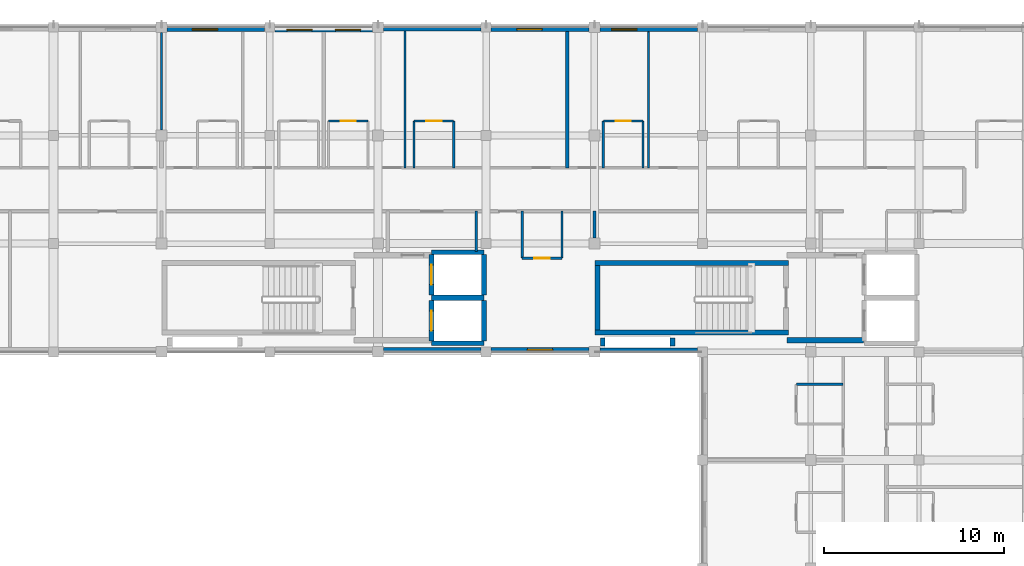
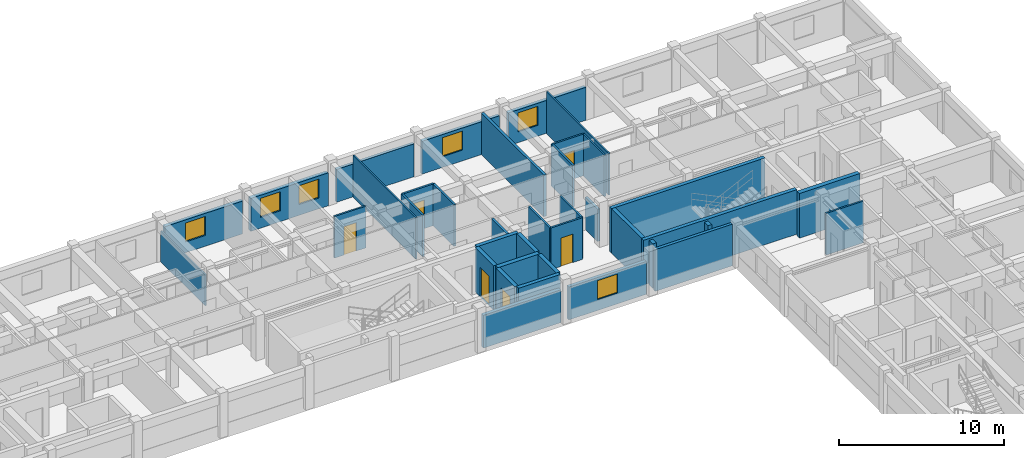
# One storey, part 15 of 22: 38 walls, 6 doors, 6 windows, 12 openings.
"""IFC4 building model written with IfcOpenShell, lengths in metres."""

from ifc_helpers import new_model, si_unit, direction, frame, frame_2d, origin, place, context, subcontext, project, spatial, rectangle, extrude, material, layer, layer_set, type_object, element, fill, save


model = new_model("IFC4")

# Units and contexts
model_context = context("Model", 3, precision=1e-05, world=origin(), true_north=direction((0.0, 1.0)))
body_context = subcontext(model_context, "Body", "Model", "MODEL_VIEW")
ifc_project = project(units=[si_unit("LENGTHUNIT", "METRE"), si_unit("AREAUNIT", "SQUARE_METRE"), si_unit("VOLUMEUNIT", "CUBIC_METRE"), si_unit("PLANEANGLEUNIT", "RADIAN"), si_unit("MASSUNIT", "GRAM", prefix="KILO"), si_unit("THERMODYNAMICTEMPERATUREUNIT", "KELVIN"), si_unit("POWERUNIT", "WATT")], contexts=[model_context])

# Site, building, storey
site_placement = place(None, origin())
site = spatial("IfcSite", under=ifc_project, at=site_placement, CompositionType="ELEMENT")
building_placement = place(site_placement, origin())
building = spatial("IfcBuilding", under=site, at=building_placement, Name="Phaisarnlok Congress Hotel", CompositionType="ELEMENT")
storey_placement = place(building_placement, frame((0.0, 0.0, 28.199951171875)))
storey = spatial("IfcBuildingStorey", under=building, at=storey_placement, Name="L06", CompositionType="ELEMENT", Elevation=28.199951171875)

# Walls
ifc_material_1 = material(Name="Concrete C40/50", Category="concrete")
ifc_layer_1 = layer(ifc_material_1, 0.2099609375, Name="Concrete C40/50")
ifc_layer_set_1 = layer_set([ifc_layer_1], Name="Concrete C40/50")
wall_type_1 = type_object("IfcWallType", Name="WL-EXT-210", PredefinedType="SOLIDWALL", material=ifc_layer_set_1)
wall_1_placement = place(storey_placement, frame((149.719970703125, 125.89501953125, 0.0), z_axis=(0.0, 0.0, 1.0), x_axis=(-1.0, 0.0, 0.0)))
element("IfcWall", 1, at=wall_1_placement, inside=storey, type_object=wall_type_1, Name="Exterior wall EW-07 (L06)", PredefinedType="SOLIDWALL", context=body_context, shape_type="SweptSolid", body=[
    extrude(rectangle(XDim=5.4150390625, YDim=0.2099609375, at=frame_2d((2.70751953125, 0.0))), origin(), (0.0, 0.0, 1.0), 2.429931640625),
])
wall_2_placement = place(storey_placement, frame((156.304931640625, 108.10498046875, 0.0), z_axis=(0.0, 0.0, 1.0), x_axis=(1.0, 0.0, 0.0)))
element("IfcWall", 2, at=wall_2_placement, inside=storey, type_object=wall_type_1, Name="Exterior wall EW-07 (L06)", PredefinedType="SOLIDWALL", context=body_context, shape_type="SweptSolid", body=[
    extrude(rectangle(XDim=5.4150390625, YDim=0.2099609375, at=frame_2d((2.70751953125, 0.0))), origin(), (0.0, 0.0, 1.0), 3.080078125),
])

# Wall, opening, window
ifc_layer_2 = layer(ifc_material_1, 0.22998046875, Name="Concrete C40/50")
ifc_layer_set_2 = layer_set([ifc_layer_2], Name="Concrete C40/50")
wall_type_2 = type_object("IfcWallType", Name="WL-EXT-230", PredefinedType="SOLIDWALL", material=ifc_layer_set_2)
wall_3_placement = place(storey_placement, frame((155.695068359375, 125.885009765625, 0.0), z_axis=(0.0, 0.0, 1.0), x_axis=(-1.0, 0.0, 0.0)))
wall_3 = element("IfcWall", 3, at=wall_3_placement, inside=storey, type_object=wall_type_2, Name="Exterior wall EW-06 (L06)", PredefinedType="SOLIDWALL", context=body_context, shape_type="SweptSolid", body=[
    extrude(rectangle(XDim=5.4150390625, YDim=0.22998046875, at=frame_2d((2.70751953125, 0.0))), origin(), (0.0, 0.0, 1.0), 2.429931640625),
])
opening_1_placement = place(wall_3_placement, frame((2.594970703125, 0.0, 0.800048828125)))
opening_1 = element("IfcOpeningElement", 4, at=opening_1_placement, cuts=wall_3, Name="Opening W-13", PredefinedType="OPENING", context=body_context, shape_type="SweptSolid", body=[
    extrude(rectangle(XDim=1.39990234375, YDim=1.39990234375, at=frame_2d((0.699951171875, 0.699951171875))), frame((0.0, 0.125, 0.0), z_axis=(0.0, -1.0, 0.0), x_axis=(1.0, 0.0, 0.0)), (0.0, 0.0, 1.0), 0.25),
])
ifc_material_2 = material(Name="Thermally Broken Aluminium & Low-E Double Glazing", Category="aluminium")
window_type = type_object("IfcWindowType", Name="WIN-POD-1400", PartitioningType="SINGLE_PANEL", PredefinedType="WINDOW", material=ifc_material_2)
window_1_placement = place(opening_1_placement, origin())
window_1 = element("IfcWindow", 5, at=window_1_placement, inside=storey, type_object=window_type, Name="Guestroom window W-13 (L06)", OverallHeight=1.39990234375, OverallWidth=1.39990234375, PartitioningType="SINGLE_PANEL", PredefinedType="WINDOW", context=body_context, shape_type="SweptSolid", body=[
    extrude(rectangle(XDim=1.39990234375, YDim=1.39990234375, at=frame_2d((0.699951171875, 0.699951171875))), frame((0.0, 0.030029296875, 0.0), z_axis=(0.0, -1.0, 0.0), x_axis=(1.0, 0.0, 0.0)), (0.0, 0.0, 1.0), 0.06005859375),
])
fill(opening_1, window_1)

wall_4_placement = place(storey_placement, frame((150.280029296875, 108.114990234375, 0.0), z_axis=(0.0, 0.0, 1.0), x_axis=(1.0, 0.0, 0.0)))
wall_4 = element("IfcWall", 6, at=wall_4_placement, inside=storey, type_object=wall_type_2, Name="Exterior wall EW-06 (L06)", PredefinedType="SOLIDWALL", context=body_context, shape_type="SweptSolid", body=[
    extrude(rectangle(XDim=5.4150390625, YDim=0.22998046875, at=frame_2d((2.70751953125, 0.0))), origin(), (0.0, 0.0, 1.0), 2.429931640625),
])
opening_2_placement = place(wall_4_placement, frame((2.008056640625, 0.0, 0.800048828125)))
opening_2 = element("IfcOpeningElement", 7, at=opening_2_placement, cuts=wall_4, Name="Opening W-13", PredefinedType="OPENING", context=body_context, shape_type="SweptSolid", body=[
    extrude(rectangle(XDim=1.39990234375, YDim=1.39990234375, at=frame_2d((0.699951171875, 0.699951171875))), frame((0.0, 0.125, 0.0), z_axis=(0.0, -1.0, 0.0), x_axis=(1.0, 0.0, 0.0)), (0.0, 0.0, 1.0), 0.25),
])
window_2_placement = place(opening_2_placement, origin())
window_2 = element("IfcWindow", 8, at=window_2_placement, inside=storey, type_object=window_type, Name="Guestroom window W-13 (L06)", OverallHeight=1.39990234375, OverallWidth=1.39990234375, PartitioningType="SINGLE_PANEL", PredefinedType="WINDOW", context=body_context, shape_type="SweptSolid", body=[
    extrude(rectangle(XDim=1.39990234375, YDim=1.39990234375, at=frame_2d((0.699951171875, 0.699951171875))), frame((0.0, 0.030029296875, 0.0), z_axis=(0.0, -1.0, 0.0), x_axis=(1.0, 0.0, 0.0)), (0.0, 0.0, 1.0), 0.06005859375),
])
fill(opening_2, window_2)

ifc_layer_3 = layer(ifc_material_1, 0.25, Name="Concrete C40/50")
ifc_layer_set_3 = layer_set([ifc_layer_3], Name="Concrete C40/50")
wall_type_3 = type_object("IfcWallType", Name="WL-EXT-250", PredefinedType="SOLIDWALL", material=ifc_layer_set_3)
wall_5_placement = place(storey_placement, frame((161.719970703125, 125.875, 0.0), z_axis=(0.0, 0.0, 1.0), x_axis=(-1.0, 0.0, 0.0)))
wall_5 = element("IfcWall", 9, at=wall_5_placement, inside=storey, type_object=wall_type_3, Name="Exterior wall EW-05 (L06)", PredefinedType="SOLIDWALL", context=body_context, shape_type="SweptSolid", body=[
    extrude(rectangle(XDim=5.4150390625, YDim=0.25, at=frame_2d((2.70751953125, 0.0))), origin(), (0.0, 0.0, 1.0), 2.429931640625),
])
opening_3_placement = place(wall_5_placement, frame((3.35693359375, 0.0, 0.800048828125)))
opening_3 = element("IfcOpeningElement", 10, at=opening_3_placement, cuts=wall_5, Name="Opening W-13", PredefinedType="OPENING", context=body_context, shape_type="SweptSolid", body=[
    extrude(rectangle(XDim=1.39990234375, YDim=1.39990234375, at=frame_2d((0.699951171875, 0.699951171875))), frame((0.0, 0.135009765625, 0.0), z_axis=(0.0, -1.0, 0.0), x_axis=(1.0, 0.0, 0.0)), (0.0, 0.0, 1.0), 0.27001953125),
])
window_3_placement = place(opening_3_placement, origin())
window_3 = element("IfcWindow", 11, at=window_3_placement, inside=storey, type_object=window_type, Name="Guestroom window W-13 (L06)", OverallHeight=1.39990234375, OverallWidth=1.39990234375, PartitioningType="SINGLE_PANEL", PredefinedType="WINDOW", context=body_context, shape_type="SweptSolid", body=[
    extrude(rectangle(XDim=1.39990234375, YDim=1.39990234375, at=frame_2d((0.699951171875, 0.699951171875))), frame((0.0, 0.030029296875, 0.0), z_axis=(0.0, -1.0, 0.0), x_axis=(1.0, 0.0, 0.0)), (0.0, 0.0, 1.0), 0.06005859375),
])
fill(opening_3, window_3)

wall_6_placement = place(storey_placement, frame((137.719970703125, 125.875, 0.0), z_axis=(0.0, 0.0, 1.0), x_axis=(-1.0, 0.0, 0.0)))
wall_6 = element("IfcWall", 12, at=wall_6_placement, inside=storey, type_object=wall_type_3, Name="Exterior wall EW-05 (L06)", PredefinedType="SOLIDWALL", context=body_context, shape_type="SweptSolid", body=[
    extrude(rectangle(XDim=5.4150390625, YDim=0.25, at=frame_2d((2.70751953125, 0.0))), origin(), (0.0, 0.0, 1.0), 2.429931640625),
])
opening_4_placement = place(wall_6_placement, frame((2.60693359375, 0.0, 0.800048828125)))
opening_4 = element("IfcOpeningElement", 13, at=opening_4_placement, cuts=wall_6, Name="Opening W-13", PredefinedType="OPENING", context=body_context, shape_type="SweptSolid", body=[
    extrude(rectangle(XDim=1.39990234375, YDim=1.39990234375, at=frame_2d((0.699951171875, 0.699951171875))), frame((0.0, 0.135009765625, 0.0), z_axis=(0.0, -1.0, 0.0), x_axis=(1.0, 0.0, 0.0)), (0.0, 0.0, 1.0), 0.27001953125),
])
window_4_placement = place(opening_4_placement, origin())
window_4 = element("IfcWindow", 14, at=window_4_placement, inside=storey, type_object=window_type, Name="Guestroom window W-13 (L06)", OverallHeight=1.39990234375, OverallWidth=1.39990234375, PartitioningType="SINGLE_PANEL", PredefinedType="WINDOW", context=body_context, shape_type="SweptSolid", body=[
    extrude(rectangle(XDim=1.39990234375, YDim=1.39990234375, at=frame_2d((0.699951171875, 0.699951171875))), frame((0.0, 0.030029296875, 0.0), z_axis=(0.0, -1.0, 0.0), x_axis=(1.0, 0.0, 0.0)), (0.0, 0.0, 1.0), 0.06005859375),
])
fill(opening_4, window_4)

# Wall
wall_7_placement = place(storey_placement, frame((144.304931640625, 108.125, 0.0), z_axis=(0.0, 0.0, 1.0), x_axis=(1.0, 0.0, 0.0)))
element("IfcWall", 15, at=wall_7_placement, inside=storey, type_object=wall_type_3, Name="Exterior wall EW-05 (L06)", PredefinedType="SOLIDWALL", context=body_context, shape_type="SweptSolid", body=[
    extrude(rectangle(XDim=5.4150390625, YDim=0.25, at=frame_2d((2.70751953125, 0.0))), origin(), (0.0, 0.0, 1.0), 2.429931640625),
])

# Wall, openings, windows
ifc_layer_4 = layer(ifc_material_1, 0.27001953125, Name="Concrete C40/50")
ifc_layer_set_4 = layer_set([ifc_layer_4], Name="Concrete C40/50")
wall_type_4 = type_object("IfcWallType", Name="WL-EXT-270", PredefinedType="SOLIDWALL", material=ifc_layer_set_4)
wall_8_placement = place(storey_placement, frame((143.695068359375, 125.864990234375, 0.0), z_axis=(0.0, 0.0, 1.0), x_axis=(-1.0, 0.0, 0.0)))
wall_8 = element("IfcWall", 16, at=wall_8_placement, inside=storey, type_object=wall_type_4, Name="Exterior wall EW-04 (L06)", PredefinedType="SOLIDWALL", context=body_context, shape_type="SweptSolid", body=[
    extrude(rectangle(XDim=5.4150390625, YDim=0.27001953125, at=frame_2d((2.70751953125, 0.0))), origin(), (0.0, 0.0, 1.0), 2.429931640625),
])
opening_5_placement = place(wall_8_placement, frame((3.344970703125, 0.0, 0.800048828125)))
opening_5 = element("IfcOpeningElement", 17, at=opening_5_placement, cuts=wall_8, Name="Opening W-13", PredefinedType="OPENING", context=body_context, shape_type="SweptSolid", body=[
    extrude(rectangle(XDim=1.39990234375, YDim=1.39990234375, at=frame_2d((0.699951171875, 0.699951171875))), frame((0.0, 0.14501953125, 0.0), z_axis=(0.0, -1.0, 0.0), x_axis=(1.0, 0.0, 0.0)), (0.0, 0.0, 1.0), 0.2900390625),
])
opening_6_placement = place(wall_8_placement, frame((0.657958984375, 0.0, 0.800048828125)))
opening_6 = element("IfcOpeningElement", 18, at=opening_6_placement, cuts=wall_8, Name="Opening W-13", PredefinedType="OPENING", context=body_context, shape_type="SweptSolid", body=[
    extrude(rectangle(XDim=1.39990234375, YDim=1.39990234375, at=frame_2d((0.699951171875, 0.699951171875))), frame((0.0, 0.14501953125, 0.0), z_axis=(0.0, -1.0, 0.0), x_axis=(1.0, 0.0, 0.0)), (0.0, 0.0, 1.0), 0.2900390625),
])
window_5_placement = place(opening_5_placement, origin())
window_5 = element("IfcWindow", 19, at=window_5_placement, inside=storey, type_object=window_type, Name="Guestroom window W-13 (L06)", OverallHeight=1.39990234375, OverallWidth=1.39990234375, PartitioningType="SINGLE_PANEL", PredefinedType="WINDOW", context=body_context, shape_type="SweptSolid", body=[
    extrude(rectangle(XDim=1.39990234375, YDim=1.39990234375, at=frame_2d((0.699951171875, 0.699951171875))), frame((0.0, 0.030029296875, 0.0), z_axis=(0.0, -1.0, 0.0), x_axis=(1.0, 0.0, 0.0)), (0.0, 0.0, 1.0), 0.06005859375),
])
fill(opening_5, window_5)
window_6_placement = place(opening_6_placement, origin())
window_6 = element("IfcWindow", 20, at=window_6_placement, inside=storey, type_object=window_type, Name="Guestroom window W-13 (L06)", OverallHeight=1.39990234375, OverallWidth=1.39990234375, PartitioningType="SINGLE_PANEL", PredefinedType="WINDOW", context=body_context, shape_type="SweptSolid", body=[
    extrude(rectangle(XDim=1.39990234375, YDim=1.39990234375, at=frame_2d((0.699951171875, 0.699951171875))), frame((0.0, 0.030029296875, 0.0), z_axis=(0.0, -1.0, 0.0), x_axis=(1.0, 0.0, 0.0)), (0.0, 0.0, 1.0), 0.06005859375),
])
fill(opening_6, window_6)

# Walls
ifc_material_3 = material(Name="Service Riser Shaftwall Partition", Category="gypsum")
ifc_layer_5 = layer(ifc_material_3, 0.10498046875, Name="Service Riser Shaftwall Partition")
ifc_layer_set_5 = layer_set([ifc_layer_5], Name="Service Riser Shaftwall Partition")
wall_type_5 = type_object("IfcWallType", Name="WL-INT-105", PredefinedType="PARTITIONING", material=ifc_layer_set_5)
wall_9_placement = place(storey_placement, frame((132.0, 120.304931640625, 0.0), z_axis=(0.0, 0.0, 1.0), x_axis=(0.0, 1.0, 0.0)))
element("IfcWall", 21, at=wall_9_placement, inside=storey, type_object=wall_type_5, Name="Interior partition wall IW-08 (L06)", PredefinedType="PARTITIONING", context=body_context, shape_type="SweptSolid", body=[
    extrude(rectangle(XDim=5.39013671875, YDim=0.10498046875, at=frame_2d((2.695068359375, 0.0))), origin(), (0.0, 0.0, 1.0), 2.280029296875),
])
wall_10_placement = place(storey_placement, frame((145.5, 118.199951171875, 0.0), z_axis=(0.0, 0.0, 1.0), x_axis=(0.0, 1.0, 0.0)))
element("IfcWall", 22, at=wall_10_placement, inside=storey, type_object=wall_type_5, Name="Interior partition wall IW-08 (L06)", PredefinedType="PARTITIONING", context=body_context, shape_type="SweptSolid", body=[
    extrude(rectangle(XDim=7.5849609375, YDim=0.10498046875, at=frame_2d((3.79248046875, 0.0))), origin(), (0.0, 0.0, 1.0), 3.080078125),
])
wall_11_placement = place(storey_placement, frame((159.0, 118.199951171875, 0.0), z_axis=(0.0, 0.0, 1.0), x_axis=(0.0, 1.0, 0.0)))
element("IfcWall", 23, at=wall_11_placement, inside=storey, type_object=wall_type_5, Name="Interior partition wall IW-08 (L06)", PredefinedType="PARTITIONING", context=body_context, shape_type="SweptSolid", body=[
    extrude(rectangle(XDim=7.545166015625, YDim=0.10498046875, at=frame_2d((3.7724609375, 0.0))), origin(), (0.0, 0.0, 1.0), 3.080078125),
])
ifc_material_4 = material(Name="Lightweight Metal-Stud Gypsum Partition", Category="gypsum")
ifc_layer_6 = layer(ifc_material_4, 0.1201171875, Name="Lightweight Metal-Stud Gypsum Partition")
ifc_layer_set_6 = layer_set([ifc_layer_6], Name="Lightweight Metal-Stud Gypsum Partition")
wall_type_6 = type_object("IfcWallType", Name="WL-INT-120", PredefinedType="PARTITIONING", material=ifc_layer_set_6)
for number, where, z_axis, x_axis, name in (
    (24, (146.0, 118.199951171875, 0.0), (0.0, 0.0, 1.0), (0.0, 1.0, 0.0), "Interior partition wall IW-07 (L06)"),
    (25, (154.199951171875, 113.199951171875, 0.0), (0.0, 0.0, 1.0), (0.0, 1.0, 0.0), "Interior partition wall IW-07 (L06)"),
    (26, (158.699951171875, 118.199951171875, 0.0), (0.0, 0.0, 1.0), (0.0, 1.0, 0.0), "Interior partition wall IW-07 (L06)"),
    (27, (167.199951171875, 106.199951171875, 0.0), (0.0, 0.0, 1.0), (1.0, 0.0, 0.0), "Interior partition wall IW-07 (L06)"),
):
    element("IfcWall", number, at=place(storey_placement, frame(where, z_axis=z_axis, x_axis=x_axis)), inside=storey, type_object=wall_type_6, Name=name, PredefinedType="PARTITIONING", context=body_context, shape_type="SweptSolid", body=[
        extrude(rectangle(XDim=2.60009765625, YDim=0.1201171875, at=frame_2d((1.300048828125, 0.0))), origin(), (0.0, 0.0, 1.0), 3.080078125),
    ])

# Wall, opening, door
wall_12_placement = place(storey_placement, frame((141.25, 120.800048828125, 0.0), z_axis=(0.0, 0.0, 1.0), x_axis=(1.0, 0.0, 0.0)))
wall_12 = element("IfcWall", 28, at=wall_12_placement, inside=storey, type_object=wall_type_6, Name="Interior partition wall IW-07 (L06)", PredefinedType="PARTITIONING", context=body_context, shape_type="SweptSolid", body=[
    extrude(rectangle(XDim=2.199951171875, YDim=0.1201171875, at=frame_2d((1.10009765625, 0.0))), origin(), (0.0, 0.0, 1.0), 3.080078125),
])
opening_7_placement = place(wall_12_placement, frame((0.675048828125, 0.0, 0.0)))
opening_7 = element("IfcOpeningElement", 29, at=opening_7_placement, cuts=wall_12, Name="Opening D-0259", PredefinedType="OPENING", context=body_context, shape_type="SweptSolid", body=[
    extrude(rectangle(XDim=0.85009765625, YDim=2.10009765625, at=frame_2d((0.425048828125, 1.050048828125))), frame((0.0, 0.070068359375, 0.0), z_axis=(0.0, -1.0, 0.0), x_axis=(1.0, 0.0, 0.0)), (0.0, 0.0, 1.0), 0.14013671875),
])
ifc_material_5 = material(Name="Moisture-Resistant Lacquered Timber", Category="wood")
door_type_1 = type_object("IfcDoorType", Name="DR-BATH-850", OperationType="NOTDEFINED", PredefinedType="DOOR", material=ifc_material_5)
door_1_placement = place(opening_7_placement, origin())
door_1 = element("IfcDoor", 30, at=door_1_placement, inside=storey, type_object=door_type_1, Name="Interior door D-0259 (L06)", OperationType="SINGLE_SWING_RIGHT", OverallHeight=2.10009765625, OverallWidth=0.85009765625, PredefinedType="DOOR", context=body_context, shape_type="SweptSolid", body=[
    extrude(rectangle(XDim=0.85009765625, YDim=2.10009765625, at=frame_2d((0.425048828125, 1.050048828125))), frame((0.0, 0.02490234375, 0.0), z_axis=(0.0, -1.0, 0.0), x_axis=(1.0, 0.0, 0.0)), (0.0, 0.0, 1.0), 0.050048828125),
])
fill(opening_7, door_1)

wall_13_placement = place(storey_placement, frame((156.5, 120.800048828125, 0.0), z_axis=(0.0, 0.0, 1.0), x_axis=(1.0, 0.0, 0.0)))
wall_13 = element("IfcWall", 31, at=wall_13_placement, inside=storey, type_object=wall_type_6, Name="Interior partition wall IW-07 (L06)", PredefinedType="PARTITIONING", context=body_context, shape_type="SweptSolid", body=[
    extrude(rectangle(XDim=2.199951171875, YDim=0.1201171875, at=frame_2d((1.10009765625, 0.0))), origin(), (0.0, 0.0, 1.0), 3.080078125),
])
opening_8_placement = place(wall_13_placement, frame((0.675048828125, 0.0, 0.0)))
opening_8 = element("IfcOpeningElement", 32, at=opening_8_placement, cuts=wall_13, Name="Opening D-0263", PredefinedType="OPENING", context=body_context, shape_type="SweptSolid", body=[
    extrude(rectangle(XDim=0.85009765625, YDim=2.10009765625, at=frame_2d((0.425048828125, 1.050048828125))), frame((0.0, 0.070068359375, 0.0), z_axis=(0.0, -1.0, 0.0), x_axis=(1.0, 0.0, 0.0)), (0.0, 0.0, 1.0), 0.14013671875),
])
door_2_placement = place(opening_8_placement, origin())
door_2 = element("IfcDoor", 33, at=door_2_placement, inside=storey, type_object=door_type_1, Name="Interior door D-0263 (L06)", OperationType="SINGLE_SWING_RIGHT", OverallHeight=2.10009765625, OverallWidth=0.85009765625, PredefinedType="DOOR", context=body_context, shape_type="SweptSolid", body=[
    extrude(rectangle(XDim=0.85009765625, YDim=2.10009765625, at=frame_2d((0.425048828125, 1.050048828125))), frame((0.0, 0.02490234375, 0.0), z_axis=(0.0, -1.0, 0.0), x_axis=(1.0, 0.0, 0.0)), (0.0, 0.0, 1.0), 0.050048828125),
])
fill(opening_8, door_2)

# Walls
ifc_material_6 = material(Name="Moisture-Resistant Gypsum Partition", Category="gypsum")
ifc_layer_7 = layer(ifc_material_6, 0.135009765625, Name="Moisture-Resistant Gypsum Partition")
ifc_layer_set_7 = layer_set([ifc_layer_7], Name="Moisture-Resistant Gypsum Partition")
wall_type_7 = type_object("IfcWallType", Name="WL-INT-135", PredefinedType="PARTITIONING", material=ifc_layer_set_7)
for number, where, z_axis, x_axis, name in (
    (34, (148.199951171875, 118.199951171875, 0.0), (0.0, 0.0, 1.0), (0.0, 1.0, 0.0), "Interior partition wall IW-06 (L06)"),
    (35, (152.0, 113.199951171875, 0.0), (0.0, 0.0, 1.0), (0.0, 1.0, 0.0), "Interior partition wall IW-06 (L06)"),
    (36, (156.5, 118.199951171875, 0.0), (0.0, 0.0, 1.0), (0.0, 1.0, 0.0), "Interior partition wall IW-06 (L06)"),
):
    element("IfcWall", number, at=place(storey_placement, frame(where, z_axis=z_axis, x_axis=x_axis)), inside=storey, type_object=wall_type_7, Name=name, PredefinedType="PARTITIONING", context=body_context, shape_type="SweptSolid", body=[
        extrude(rectangle(XDim=2.60009765625, YDim=0.135009765625, at=frame_2d((1.300048828125, 0.0))), origin(), (0.0, 0.0, 1.0), 3.080078125),
    ])

# Wall, opening, door
wall_14_placement = place(storey_placement, frame((152.0, 113.199951171875, 0.0), z_axis=(0.0, 0.0, 1.0), x_axis=(1.0, 0.0, 0.0)))
wall_14 = element("IfcWall", 37, at=wall_14_placement, inside=storey, type_object=wall_type_7, Name="Interior partition wall IW-06 (L06)", PredefinedType="PARTITIONING", context=body_context, shape_type="SweptSolid", body=[
    extrude(rectangle(XDim=2.199951171875, YDim=0.135009765625, at=frame_2d((1.10009765625, 0.0))), origin(), (0.0, 0.0, 1.0), 3.080078125),
])
opening_9_placement = place(wall_14_placement, frame((0.675048828125, 0.0, 0.0)))
opening_9 = element("IfcOpeningElement", 38, at=opening_9_placement, cuts=wall_14, Name="Opening D-0273", PredefinedType="OPENING", context=body_context, shape_type="SweptSolid", body=[
    extrude(rectangle(XDim=0.85009765625, YDim=2.10009765625, at=frame_2d((0.425048828125, 1.050048828125))), frame((0.0, 0.07763671875, 0.0), z_axis=(0.0, -1.0, 0.0), x_axis=(1.0, 0.0, 0.0)), (0.0, 0.0, 1.0), 0.155029296875),
])
door_3_placement = place(opening_9_placement, origin())
door_3 = element("IfcDoor", 39, at=door_3_placement, inside=storey, type_object=door_type_1, Name="Interior door D-0273 (L06)", OperationType="SINGLE_SWING_RIGHT", OverallHeight=2.10009765625, OverallWidth=0.85009765625, PredefinedType="DOOR", context=body_context, shape_type="SweptSolid", body=[
    extrude(rectangle(XDim=0.85009765625, YDim=2.10009765625, at=frame_2d((0.425048828125, 1.050048828125))), frame((0.0, 0.02490234375, 0.0), z_axis=(0.0, -1.0, 0.0), x_axis=(1.0, 0.0, 0.0)), (0.0, 0.0, 1.0), 0.050048828125),
])
fill(opening_9, door_3)

wall_15_placement = place(storey_placement, frame((146.0, 120.800048828125, 0.0), z_axis=(0.0, 0.0, 1.0), x_axis=(1.0, 0.0, 0.0)))
wall_15 = element("IfcWall", 40, at=wall_15_placement, inside=storey, type_object=wall_type_7, Name="Interior partition wall IW-06 (L06)", PredefinedType="PARTITIONING", context=body_context, shape_type="SweptSolid", body=[
    extrude(rectangle(XDim=2.199951171875, YDim=0.135009765625, at=frame_2d((1.10009765625, 0.0))), origin(), (0.0, 0.0, 1.0), 3.080078125),
])
opening_10_placement = place(wall_15_placement, frame((0.675048828125, 0.0, 0.0)))
opening_10 = element("IfcOpeningElement", 41, at=opening_10_placement, cuts=wall_15, Name="Opening D-0261", PredefinedType="OPENING", context=body_context, shape_type="SweptSolid", body=[
    extrude(rectangle(XDim=0.85009765625, YDim=2.10009765625, at=frame_2d((0.425048828125, 1.050048828125))), frame((0.0, 0.07763671875, 0.0), z_axis=(0.0, -1.0, 0.0), x_axis=(1.0, 0.0, 0.0)), (0.0, 0.0, 1.0), 0.155029296875),
])
door_4_placement = place(opening_10_placement, origin())
door_4 = element("IfcDoor", 42, at=door_4_placement, inside=storey, type_object=door_type_1, Name="Interior door D-0261 (L06)", OperationType="SINGLE_SWING_RIGHT", OverallHeight=2.10009765625, OverallWidth=0.85009765625, PredefinedType="DOOR", context=body_context, shape_type="SweptSolid", body=[
    extrude(rectangle(XDim=0.85009765625, YDim=2.10009765625, at=frame_2d((0.425048828125, 1.050048828125))), frame((0.0, 0.02490234375, 0.0), z_axis=(0.0, -1.0, 0.0), x_axis=(1.0, 0.0, 0.0)), (0.0, 0.0, 1.0), 0.050048828125),
])
fill(opening_10, door_4)

# Walls
ifc_material_7 = material(Name="Acoustic Gypsum Board & Mineral Wool", Category="gypsum")
ifc_layer_8 = layer(ifc_material_7, 0.14990234375, Name="Acoustic Gypsum Board & Mineral Wool")
ifc_layer_set_8 = layer_set([ifc_layer_8], Name="Acoustic Gypsum Board & Mineral Wool")
wall_type_8 = type_object("IfcWallType", Name="WL-INT-150", PredefinedType="PARTITIONING", material=ifc_layer_set_8)
wall_16_placement = place(storey_placement, frame((149.449951171875, 113.56005859375, 0.0), z_axis=(0.0, 0.0, 1.0), x_axis=(0.0, 1.0, 0.0)))
element("IfcWall", 43, at=wall_16_placement, inside=storey, type_object=wall_type_8, Name="Interior partition wall IW-05 (L06)", PredefinedType="PARTITIONING", context=body_context, shape_type="SweptSolid", body=[
    extrude(rectangle(XDim=2.239990234375, YDim=0.14990234375, at=frame_2d((1.1201171875, 0.0))), origin(), (0.0, 0.0, 1.0), 3.080078125),
])
ifc_material_8 = material(Name="Double-Stud Acoustic Gypsum Partition", Category="gypsum")
ifc_layer_9 = layer(ifc_material_8, 0.159912109375, Name="Double-Stud Acoustic Gypsum Partition")
ifc_layer_set_9 = layer_set([ifc_layer_9], Name="Double-Stud Acoustic Gypsum Partition")
wall_type_9 = type_object("IfcWallType", Name="WL-INT-160", PredefinedType="PARTITIONING", material=ifc_layer_set_9)
wall_17_placement = place(storey_placement, frame((156.0, 114.304931640625, 0.0), z_axis=(0.0, 0.0, 1.0), x_axis=(0.0, 1.0, 0.0)))
element("IfcWall", 44, at=wall_17_placement, inside=storey, type_object=wall_type_9, Name="Interior partition wall IW-04 (L06)", PredefinedType="PARTITIONING", context=body_context, shape_type="SweptSolid", body=[
    extrude(rectangle(XDim=1.4951171875, YDim=0.159912109375, at=frame_2d((0.74755859375, 0.0))), origin(), (0.0, 0.0, 1.0), 2.380126953125),
])
ifc_material_9 = material(Name="Autoclaved Aerated Concrete Block", Category="concrete")
ifc_layer_10 = layer(ifc_material_9, 0.179931640625, Name="Autoclaved Aerated Concrete Block")
ifc_layer_set_10 = layer_set([ifc_layer_10], Name="Autoclaved Aerated Concrete Block")
wall_type_10 = type_object("IfcWallType", Name="WL-INT-180", PredefinedType="PARTITIONING", material=ifc_layer_set_10)
wall_18_placement = place(storey_placement, frame((154.5, 118.199951171875, 0.0), z_axis=(0.0, 0.0, 1.0), x_axis=(0.0, 1.0, 0.0)))
element("IfcWall", 45, at=wall_18_placement, inside=storey, type_object=wall_type_10, Name="Interior partition wall IW-03 (L06)", PredefinedType="PARTITIONING", context=body_context, shape_type="SweptSolid", body=[
    extrude(rectangle(XDim=7.56494140625, YDim=0.179931640625, at=frame_2d((3.782470703125, 0.0))), origin(), (0.0, 0.0, 1.0), 3.080078125),
])
ifc_material_10 = material(Name="Concrete C50/60", Category="concrete")
ifc_layer_11 = layer(ifc_material_10, 0.260009765625, Name="Concrete C50/60")
ifc_layer_set_11 = layer_set([ifc_layer_11], Name="Concrete C50/60")
wall_type_11 = type_object("IfcWallType", Name="WL-SHR-260", PredefinedType="SHEAR", material=ifc_layer_set_11)
for number, where, z_axis, x_axis, name in (
    (46, (156.0400390625, 109.070068359375, 0.0), (0.0, 0.0, 1.0), (1.0, 0.0, 0.0), "Stair shaft shear wall SW-04 (CORE-1 L06)"),
    (47, (156.0400390625, 112.929931640625, 0.0), (0.0, 0.0, 1.0), (1.0, 0.0, 0.0), "Stair shaft shear wall SW-04 (CORE-1 L06)"),
):
    element("IfcWall", number, at=place(storey_placement, frame(where, z_axis=z_axis, x_axis=x_axis)), inside=storey, type_object=wall_type_11, Name=name, PredefinedType="SHEAR", context=body_context, shape_type="SweptSolid", body=[
        extrude(rectangle(XDim=10.719970703125, YDim=0.260009765625, at=frame_2d((5.35986328125, 0.0))), origin(), (0.0, 0.0, 1.0), 3.300048828125),
    ])
wall_19_placement = place(storey_placement, frame((156.169921875, 109.199951171875, 0.0), z_axis=(0.0, 0.0, 1.0), x_axis=(0.0, 1.0, 0.0)))
element("IfcWall", 48, at=wall_19_placement, inside=storey, type_object=wall_type_11, Name="Stair shaft shear wall SW-04 (CORE-1 L06)", PredefinedType="SHEAR", context=body_context, shape_type="SweptSolid", body=[
    extrude(rectangle(XDim=3.60009765625, YDim=0.260009765625, at=frame_2d((1.800048828125, 0.0))), origin(), (0.0, 0.0, 1.0), 3.300048828125),
])
for number, where, z_axis, x_axis, name in (
    (49, (156.469970703125, 108.330078125, 0.0), (0.0, 0.0, 1.0), (0.0, 1.0, 0.0), "Service riser shaft wall SW-04 (CORE-1 L06)"),
    (50, (160.330078125, 108.330078125, 0.0), (0.0, 0.0, 1.0), (0.0, 1.0, 0.0), "Service riser shaft wall SW-04 (CORE-1 L06)"),
):
    element("IfcWall", number, at=place(storey_placement, frame(where, z_axis=z_axis, x_axis=x_axis)), inside=storey, type_object=wall_type_11, Name=name, PredefinedType="SHEAR", context=body_context, shape_type="SweptSolid", body=[
        extrude(rectangle(XDim=0.43994140625, YDim=0.260009765625, at=frame_2d((0.219970703125, 0.0))), origin(), (0.0, 0.0, 1.0), 3.300048828125),
    ])
wall_20_placement = place(storey_placement, frame((146.969970703125, 108.469970703125, 0.0), z_axis=(0.0, 0.0, 1.0), x_axis=(1.0, 0.0, 0.0)))
element("IfcWall", 51, at=wall_20_placement, inside=storey, type_object=wall_type_11, Name="Lift shaft shear wall SW-04 (LF-FF2 L06)", PredefinedType="SHEAR", context=body_context, shape_type="SweptSolid", body=[
    extrude(rectangle(XDim=2.909912109375, YDim=0.260009765625, at=frame_2d((1.455078125, 0.0))), origin(), (0.0, 0.0, 1.0), 3.300048828125),
])
wall_21_placement = place(storey_placement, frame((149.8798828125, 108.60009765625, 0.0), z_axis=(0.0, 0.0, 1.0), x_axis=(0.0, 1.0, 0.0)))
element("IfcWall", 52, at=wall_21_placement, inside=storey, type_object=wall_type_11, Name="Lift shaft shear wall SW-04 (LF-FF2 L06)", PredefinedType="SHEAR", context=body_context, shape_type="SweptSolid", body=[
    extrude(rectangle(XDim=2.25, YDim=0.260009765625, at=frame_2d((1.125, 0.0))), origin(), (0.0, 0.0, 1.0), 3.300048828125),
])

# Wall, opening, door
wall_22_placement = place(storey_placement, frame((146.969970703125, 108.60009765625, 0.0), z_axis=(0.0, 0.0, 1.0), x_axis=(0.0, 1.0, 0.0)))
wall_22 = element("IfcWall", 53, at=wall_22_placement, inside=storey, type_object=wall_type_11, Name="Lift shaft front wall SW-04 (LF-FF2 L06)", PredefinedType="SHEAR", context=body_context, shape_type="SweptSolid", body=[
    extrude(rectangle(XDim=2.25, YDim=0.260009765625, at=frame_2d((1.125, 0.0))), origin(), (0.0, 0.0, 1.0), 3.300048828125),
])
opening_11_placement = place(wall_22_placement, frame((0.574951171875, 0.0, 0.0)))
opening_11 = element("IfcOpeningElement", 54, at=opening_11_placement, cuts=wall_22, Name="Opening LD-038", PredefinedType="OPENING", context=body_context, shape_type="SweptSolid", body=[
    extrude(rectangle(XDim=1.10009765625, YDim=2.199951171875, at=frame_2d((0.550048828125, 1.10009765625))), frame((0.0, 0.14013671875, 0.0), z_axis=(0.0, -1.0, 0.0), x_axis=(1.0, 0.0, 0.0)), (0.0, 0.0, 1.0), 0.280029296875),
])
ifc_material_11 = material(Name="Brushed Stainless Steel Grade 304", Category="steel")
door_type_2 = type_object("IfcDoorType", Name="DR-LD-1100", OperationType="DOUBLE_DOOR_SLIDING", PredefinedType="DOOR", material=ifc_material_11)
door_5_placement = place(opening_11_placement, origin())
door_5 = element("IfcDoor", 55, at=door_5_placement, inside=storey, type_object=door_type_2, Name="Lift landing sliding door LD-038 (LF-FF2 L06)", OperationType="DOUBLE_DOOR_SLIDING", OverallHeight=2.199951171875, OverallWidth=1.10009765625, PredefinedType="DOOR", context=body_context, shape_type="SweptSolid", body=[
    extrude(rectangle(XDim=1.10009765625, YDim=2.199951171875, at=frame_2d((0.550048828125, 1.10009765625))), frame((0.0, 0.02490234375, 0.0), z_axis=(0.0, -1.0, 0.0), x_axis=(1.0, 0.0, 0.0)), (0.0, 0.0, 1.0), 0.050048828125),
])
fill(opening_11, door_5)

# Walls
wall_23_placement = place(storey_placement, frame((146.969970703125, 113.530029296875, 0.0), z_axis=(0.0, 0.0, 1.0), x_axis=(1.0, 0.0, 0.0)))
element("IfcWall", 56, at=wall_23_placement, inside=storey, type_object=wall_type_11, Name="Lift shaft shear wall SW-04 (LF-HP2 L06)", PredefinedType="SHEAR", context=body_context, shape_type="SweptSolid", body=[
    extrude(rectangle(XDim=2.909912109375, YDim=0.260009765625, at=frame_2d((1.455078125, 0.0))), origin(), (0.0, 0.0, 1.0), 3.300048828125),
])
wall_24_placement = place(storey_placement, frame((149.8798828125, 111.14990234375, 0.0), z_axis=(0.0, 0.0, 1.0), x_axis=(0.0, 1.0, 0.0)))
element("IfcWall", 57, at=wall_24_placement, inside=storey, type_object=wall_type_11, Name="Lift shaft shear wall SW-04 (LF-HP2 L06)", PredefinedType="SHEAR", context=body_context, shape_type="SweptSolid", body=[
    extrude(rectangle(XDim=2.25, YDim=0.260009765625, at=frame_2d((1.125, 0.0))), origin(), (0.0, 0.0, 1.0), 3.300048828125),
])

# Wall, opening, door
wall_25_placement = place(storey_placement, frame((146.969970703125, 111.14990234375, 0.0), z_axis=(0.0, 0.0, 1.0), x_axis=(0.0, 1.0, 0.0)))
wall_25 = element("IfcWall", 58, at=wall_25_placement, inside=storey, type_object=wall_type_11, Name="Lift shaft front wall SW-04 (LF-HP2 L06)", PredefinedType="SHEAR", context=body_context, shape_type="SweptSolid", body=[
    extrude(rectangle(XDim=2.25, YDim=0.260009765625, at=frame_2d((1.125, 0.0))), origin(), (0.0, 0.0, 1.0), 3.300048828125),
])
opening_12_placement = place(wall_25_placement, frame((0.574951171875, 0.0, 0.0)))
opening_12 = element("IfcOpeningElement", 59, at=opening_12_placement, cuts=wall_25, Name="Opening LD-053", PredefinedType="OPENING", context=body_context, shape_type="SweptSolid", body=[
    extrude(rectangle(XDim=1.10009765625, YDim=2.199951171875, at=frame_2d((0.550048828125, 1.10009765625))), frame((0.0, 0.14013671875, 0.0), z_axis=(0.0, -1.0, 0.0), x_axis=(1.0, 0.0, 0.0)), (0.0, 0.0, 1.0), 0.280029296875),
])
door_6_placement = place(opening_12_placement, origin())
door_6 = element("IfcDoor", 60, at=door_6_placement, inside=storey, type_object=door_type_2, Name="Lift landing sliding door LD-053 (LF-HP2 L06)", OperationType="DOUBLE_DOOR_SLIDING", OverallHeight=2.199951171875, OverallWidth=1.10009765625, PredefinedType="DOOR", context=body_context, shape_type="SweptSolid", body=[
    extrude(rectangle(XDim=1.10009765625, YDim=2.199951171875, at=frame_2d((0.550048828125, 1.10009765625))), frame((0.0, 0.02490234375, 0.0), z_axis=(0.0, -1.0, 0.0), x_axis=(1.0, 0.0, 0.0)), (0.0, 0.0, 1.0), 0.050048828125),
])
fill(opening_12, door_6)

# Walls
ifc_layer_12 = layer(ifc_material_10, 0.300048828125, Name="Concrete C50/60")
ifc_layer_set_12 = layer_set([ifc_layer_12], Name="Concrete C50/60")
wall_type_12 = type_object("IfcWallType", Name="WL-SHR-300", PredefinedType="SHEAR", material=ifc_layer_set_12)
wall_26_placement = place(storey_placement, frame((166.679931640625, 108.64990234375, 0.0), z_axis=(0.0, 0.0, 1.0), x_axis=(1.0, 0.0, 0.0)))
element("IfcWall", 61, at=wall_26_placement, inside=storey, type_object=wall_type_12, Name="Core lobby EI-120 wall SW-03 (CORE-1 L06)", PredefinedType="SHEAR", context=body_context, shape_type="SweptSolid", body=[
    extrude(rectangle(XDim=4.239990234375, YDim=0.300048828125, at=frame_2d((2.1201171875, 0.0))), origin(), (0.0, 0.0, 1.0), 3.300048828125),
])
wall_27_placement = place(storey_placement, frame((146.969970703125, 111.0, 0.0), z_axis=(0.0, 0.0, 1.0), x_axis=(1.0, 0.0, 0.0)))
element("IfcWall", 62, at=wall_27_placement, inside=storey, type_object=wall_type_12, Name="Lift shaft divider shear wall SW-03 (LF-FF2 L06)", PredefinedType="SHEAR", context=body_context, shape_type="SweptSolid", body=[
    extrude(rectangle(XDim=2.909912109375, YDim=0.300048828125, at=frame_2d((1.455078125, 0.0))), origin(), (0.0, 0.0, 1.0), 3.300048828125),
])

save(model, "model.ifc")
